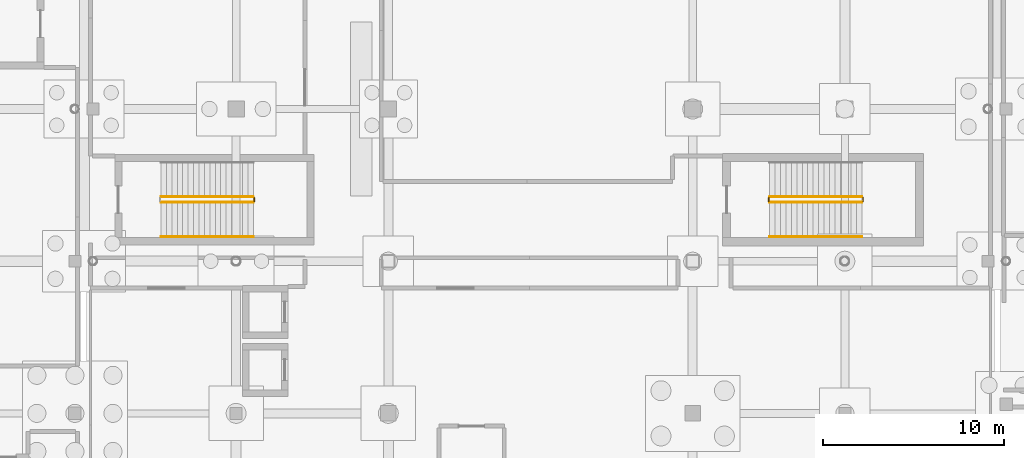
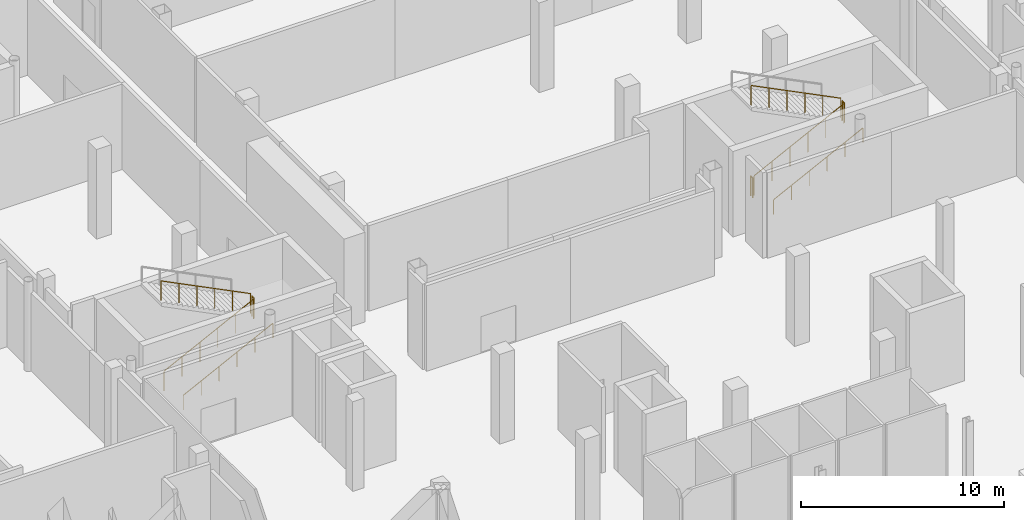
# One storey, part 41 of 49: 9 railings.
"""IFC4 building model written with IfcOpenShell, lengths in metres."""

from ifc_helpers import new_model, si_unit, direction, frame, origin, origin_2d, place, context, subcontext, project, spatial, circle, extrude, material, type_object, element, save


model = new_model("IFC4")

# Units and contexts
model_context = context("Model", 3, precision=1e-05, world=origin(), true_north=direction((0.0, 1.0)))
body_context = subcontext(model_context, "Body", "Model", "MODEL_VIEW")
ifc_project = project(units=[si_unit("LENGTHUNIT", "METRE"), si_unit("AREAUNIT", "SQUARE_METRE"), si_unit("VOLUMEUNIT", "CUBIC_METRE"), si_unit("PLANEANGLEUNIT", "RADIAN"), si_unit("MASSUNIT", "GRAM", prefix="KILO"), si_unit("THERMODYNAMICTEMPERATUREUNIT", "KELVIN")], contexts=[model_context])

# Site, building, storey
site_placement = place(None, origin())
site = spatial("IfcSite", under=ifc_project, at=site_placement, CompositionType="ELEMENT")
building_placement = place(site_placement, origin())
building = spatial("IfcBuilding", under=site, at=building_placement, Name="Lustrewick Department Store", CompositionType="ELEMENT")
storey_placement = place(building_placement, frame((0.0, 0.0, -5.39990234375)))
storey = spatial("IfcBuildingStorey", under=building, at=storey_placement, Name="B1", CompositionType="ELEMENT", Elevation=-5.39990234375)

# Railings
ifc_material_1 = material(Name="Painted tubular steel stairwell guardrail", Category="steel")
railing_type_1 = type_object("IfcRailingType", Name="RL-STG", PredefinedType="GUARDRAIL", material=ifc_material_1)
railing_1_placement = place(storey_placement, frame((63.050048828125, 62.050048828125, 0.14990234375)))
element("IfcRailing", 1, at=railing_1_placement, inside=storey, type_object=railing_type_1, Name="B1 ST04 Stair Guard 1", PredefinedType="GUARDRAIL", context=body_context, shape_type="SweptSolid", body=[
    extrude(circle(Radius=0.02392578125, at=origin_2d()), frame((0.0, 0.0, 1.17578125), z_axis=(0.894418627299, 0.0, 0.447230722492), x_axis=(0.0, 1.0, 0.0)), (0.0, 0.0, 1.0), 5.701904296875),
    extrude(circle(Radius=0.02099609375, at=origin_2d()), origin(), (0.0, 0.0, 1.0), 1.15185546875),
    extrude(circle(Radius=0.02099609375, at=origin_2d()), frame((1.02001953125, 0.0, 0.510009765625)), (0.0, 0.0, 1.0), 1.15185546875),
    extrude(circle(Radius=0.02099609375, at=origin_2d()), frame((2.0400390625, 0.0, 1.02001953125)), (0.0, 0.0, 1.0), 1.15185546875),
    extrude(circle(Radius=0.02099609375, at=origin_2d()), frame((3.059814453125, 0.0, 1.530029296875)), (0.0, 0.0, 1.0), 1.15185546875),
    extrude(circle(Radius=0.02099609375, at=origin_2d()), frame((4.079833984375, 0.0, 2.0400390625)), (0.0, 0.0, 1.0), 1.15185546875),
    extrude(circle(Radius=0.02099609375, at=origin_2d()), frame((5.099853515625, 0.0, 2.550048828125)), (0.0, 0.0, 1.0), 1.15185546875),
])
railing_2_placement = place(storey_placement, frame((68.199951171875, 62.10009765625, 2.699951171875)))
element("IfcRailing", 2, at=railing_2_placement, inside=storey, type_object=railing_type_1, Name="B1 ST04 Stair Guard 2", PredefinedType="GUARDRAIL", context=body_context, shape_type="SweptSolid", body=[
    extrude(circle(Radius=0.02392578125, at=origin_2d()), frame((0.0, 0.0, 1.17578125), z_axis=(0.0, 1.0, 0.0), x_axis=(-1.0, 0.0, 0.0)), (0.0, 0.0, 1.0), 0.199951171875),
    extrude(circle(Radius=0.02099609375, at=origin_2d()), origin(), (0.0, 0.0, 1.0), 1.15185546875),
    extrude(circle(Radius=0.02099609375, at=origin_2d()), frame((0.0, 0.199951171875, 0.0)), (0.0, 0.0, 1.0), 1.15185546875),
])
railing_3_placement = place(storey_placement, frame((68.14990234375, 62.35009765625, 2.849853515625)))
element("IfcRailing", 3, at=railing_3_placement, inside=storey, type_object=railing_type_1, Name="B1 ST04 Stair Guard 3", PredefinedType="GUARDRAIL", context=body_context, shape_type="SweptSolid", body=[
    extrude(circle(Radius=0.02392578125, at=origin_2d()), frame((0.0, 0.0, 1.17578125), z_axis=(-0.894418627299, 0.0, 0.447230722492), x_axis=(0.0, -1.0, 0.0)), (0.0, 0.0, 1.0), 5.701904296875),
    extrude(circle(Radius=0.02099609375, at=origin_2d()), origin(), (0.0, 0.0, 1.0), 1.15185546875),
    extrude(circle(Radius=0.02099609375, at=origin_2d()), frame((-1.02001953125, 0.0, 0.510009765625)), (0.0, 0.0, 1.0), 1.15185546875),
    extrude(circle(Radius=0.02099609375, at=origin_2d()), frame((-2.0400390625, 0.0, 1.02001953125)), (0.0, 0.0, 1.0), 1.15185546875),
    extrude(circle(Radius=0.02099609375, at=origin_2d()), frame((-3.059814453125, 0.0, 1.530029296875)), (0.0, 0.0, 1.0), 1.15185546875),
    extrude(circle(Radius=0.02099609375, at=origin_2d()), frame((-4.079833984375, 0.0, 2.0400390625)), (0.0, 0.0, 1.0), 1.15185546875),
    extrude(circle(Radius=0.02099609375, at=origin_2d()), frame((-5.099853515625, 0.0, 2.550048828125)), (0.0, 0.0, 1.0), 1.15185546875),
])
railing_4_placement = place(storey_placement, frame((96.64990234375, 62.050048828125, 0.14990234375)))
element("IfcRailing", 4, at=railing_4_placement, inside=storey, type_object=railing_type_1, Name="B1 ST05 Stair Guard 1", PredefinedType="GUARDRAIL", context=body_context, shape_type="SweptSolid", body=[
    extrude(circle(Radius=0.02392578125, at=origin_2d()), frame((0.0, 0.0, 1.17578125), z_axis=(0.894427191, 0.0, 0.4472135955), x_axis=(0.0, 1.0, 0.0)), (0.0, 0.0, 1.0), 5.7021484375),
    extrude(circle(Radius=0.02099609375, at=origin_2d()), origin(), (0.0, 0.0, 1.0), 1.15185546875),
    extrude(circle(Radius=0.02099609375, at=origin_2d()), frame((1.02001953125, 0.0, 0.510009765625)), (0.0, 0.0, 1.0), 1.15185546875),
    extrude(circle(Radius=0.02099609375, at=origin_2d()), frame((2.0400390625, 0.0, 1.02001953125)), (0.0, 0.0, 1.0), 1.15185546875),
    extrude(circle(Radius=0.02099609375, at=origin_2d()), frame((3.06005859375, 0.0, 1.530029296875)), (0.0, 0.0, 1.0), 1.15185546875),
    extrude(circle(Radius=0.02099609375, at=origin_2d()), frame((4.080078125, 0.0, 2.0400390625)), (0.0, 0.0, 1.0), 1.15185546875),
    extrude(circle(Radius=0.02099609375, at=origin_2d()), frame((5.10009765625, 0.0, 2.550048828125)), (0.0, 0.0, 1.0), 1.15185546875),
])
railing_5_placement = place(storey_placement, frame((101.800048828125, 62.10009765625, 2.699951171875)))
element("IfcRailing", 5, at=railing_5_placement, inside=storey, type_object=railing_type_1, Name="B1 ST05 Stair Guard 2", PredefinedType="GUARDRAIL", context=body_context, shape_type="SweptSolid", body=[
    extrude(circle(Radius=0.02392578125, at=origin_2d()), frame((0.0, 0.0, 1.17578125), z_axis=(0.0, 1.0, 0.0), x_axis=(-1.0, 0.0, 0.0)), (0.0, 0.0, 1.0), 0.199951171875),
    extrude(circle(Radius=0.02099609375, at=origin_2d()), origin(), (0.0, 0.0, 1.0), 1.15185546875),
    extrude(circle(Radius=0.02099609375, at=origin_2d()), frame((0.0, 0.199951171875, 0.0)), (0.0, 0.0, 1.0), 1.15185546875),
])
railing_6_placement = place(storey_placement, frame((101.75, 62.35009765625, 2.849853515625)))
element("IfcRailing", 6, at=railing_6_placement, inside=storey, type_object=railing_type_1, Name="B1 ST05 Stair Guard 3", PredefinedType="GUARDRAIL", context=body_context, shape_type="SweptSolid", body=[
    extrude(circle(Radius=0.02392578125, at=origin_2d()), frame((0.0, 0.0, 1.17578125), z_axis=(-0.894427191, 0.0, 0.4472135955), x_axis=(0.0, -1.0, 0.0)), (0.0, 0.0, 1.0), 5.7021484375),
    extrude(circle(Radius=0.02099609375, at=origin_2d()), origin(), (0.0, 0.0, 1.0), 1.15185546875),
    extrude(circle(Radius=0.02099609375, at=origin_2d()), frame((-1.02001953125, 0.0, 0.510009765625)), (0.0, 0.0, 1.0), 1.15185546875),
    extrude(circle(Radius=0.02099609375, at=origin_2d()), frame((-2.0400390625, 0.0, 1.02001953125)), (0.0, 0.0, 1.0), 1.15185546875),
    extrude(circle(Radius=0.02099609375, at=origin_2d()), frame((-3.06005859375, 0.0, 1.530029296875)), (0.0, 0.0, 1.0), 1.15185546875),
    extrude(circle(Radius=0.02099609375, at=origin_2d()), frame((-4.080078125, 0.0, 2.0400390625)), (0.0, 0.0, 1.0), 1.15185546875),
    extrude(circle(Radius=0.02099609375, at=origin_2d()), frame((-5.10009765625, 0.0, 2.550048828125)), (0.0, 0.0, 1.0), 1.15185546875),
])
railing_7_placement = place(storey_placement, frame((96.60009765625, 62.10009765625, 0.0)))
element("IfcRailing", 7, at=railing_7_placement, inside=storey, type_object=railing_type_1, Name="B1 ST05 Stair Guard 4", PredefinedType="GUARDRAIL", context=body_context, shape_type="SweptSolid", body=[
    extrude(circle(Radius=0.02392578125, at=origin_2d()), frame((0.0, 0.0, 1.17578125), z_axis=(0.0, 1.0, 0.0), x_axis=(-1.0, 0.0, 0.0)), (0.0, 0.0, 1.0), 0.199951171875),
    extrude(circle(Radius=0.02099609375, at=origin_2d()), origin(), (0.0, 0.0, 1.0), 1.15185546875),
    extrude(circle(Radius=0.02099609375, at=origin_2d()), frame((0.0, 0.199951171875, 0.0)), (0.0, 0.0, 1.0), 1.15185546875),
])
ifc_material_2 = material(Name="Brushed stainless steel wall handrail", Category="steel")
railing_type_2 = type_object("IfcRailingType", Name="RL-STH", PredefinedType="HANDRAIL", material=ifc_material_2)
railing_8_placement = place(storey_placement, frame((63.050048828125, 60.14990234375, 0.14990234375)))
element("IfcRailing", 8, at=railing_8_placement, inside=storey, type_object=railing_type_2, Name="B1 ST04 Stair Handrail 1", PredefinedType="HANDRAIL", context=body_context, shape_type="SweptSolid", body=[
    extrude(circle(Radius=0.02392578125, at=origin_2d()), frame((0.0, 0.0, 0.8759765625), z_axis=(0.894418627299, 0.0, 0.447230722492), x_axis=(0.0, 1.0, 0.0)), (0.0, 0.0, 1.0), 5.701904296875),
    extrude(circle(Radius=0.02099609375, at=origin_2d()), origin(), (0.0, 0.0, 1.0), 0.851806640625),
    extrude(circle(Radius=0.02099609375, at=origin_2d()), frame((1.02001953125, 0.0, 0.510009765625)), (0.0, 0.0, 1.0), 0.851806640625),
    extrude(circle(Radius=0.02099609375, at=origin_2d()), frame((2.0400390625, 0.0, 1.02001953125)), (0.0, 0.0, 1.0), 0.851806640625),
    extrude(circle(Radius=0.02099609375, at=origin_2d()), frame((3.059814453125, 0.0, 1.530029296875)), (0.0, 0.0, 1.0), 0.851806640625),
    extrude(circle(Radius=0.02099609375, at=origin_2d()), frame((4.079833984375, 0.0, 2.0400390625)), (0.0, 0.0, 1.0), 0.851806640625),
    extrude(circle(Radius=0.02099609375, at=origin_2d()), frame((5.099853515625, 0.0, 2.550048828125)), (0.0, 0.0, 1.0), 0.851806640625),
])
railing_9_placement = place(storey_placement, frame((96.64990234375, 60.14990234375, 0.14990234375)))
element("IfcRailing", 9, at=railing_9_placement, inside=storey, type_object=railing_type_2, Name="B1 ST05 Stair Handrail 1", PredefinedType="HANDRAIL", context=body_context, shape_type="SweptSolid", body=[
    extrude(circle(Radius=0.02392578125, at=origin_2d()), frame((0.0, 0.0, 0.8759765625), z_axis=(0.894427191, 0.0, 0.4472135955), x_axis=(0.0, 1.0, 0.0)), (0.0, 0.0, 1.0), 5.7021484375),
    extrude(circle(Radius=0.02099609375, at=origin_2d()), origin(), (0.0, 0.0, 1.0), 0.851806640625),
    extrude(circle(Radius=0.02099609375, at=origin_2d()), frame((1.02001953125, 0.0, 0.510009765625)), (0.0, 0.0, 1.0), 0.851806640625),
    extrude(circle(Radius=0.02099609375, at=origin_2d()), frame((2.0400390625, 0.0, 1.02001953125)), (0.0, 0.0, 1.0), 0.851806640625),
    extrude(circle(Radius=0.02099609375, at=origin_2d()), frame((3.06005859375, 0.0, 1.530029296875)), (0.0, 0.0, 1.0), 0.851806640625),
    extrude(circle(Radius=0.02099609375, at=origin_2d()), frame((4.080078125, 0.0, 2.0400390625)), (0.0, 0.0, 1.0), 0.851806640625),
    extrude(circle(Radius=0.02099609375, at=origin_2d()), frame((5.10009765625, 0.0, 2.550048828125)), (0.0, 0.0, 1.0), 0.851806640625),
])

save(model, "model.ifc")
